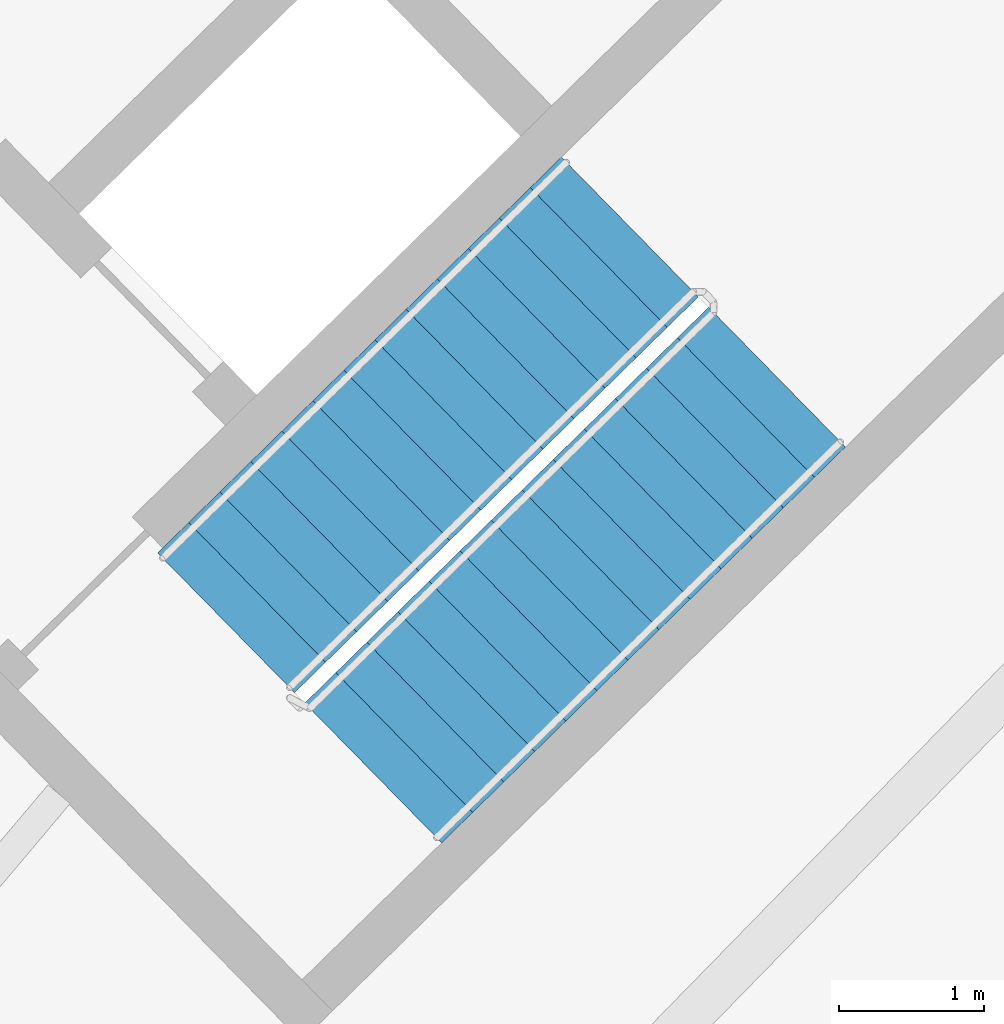
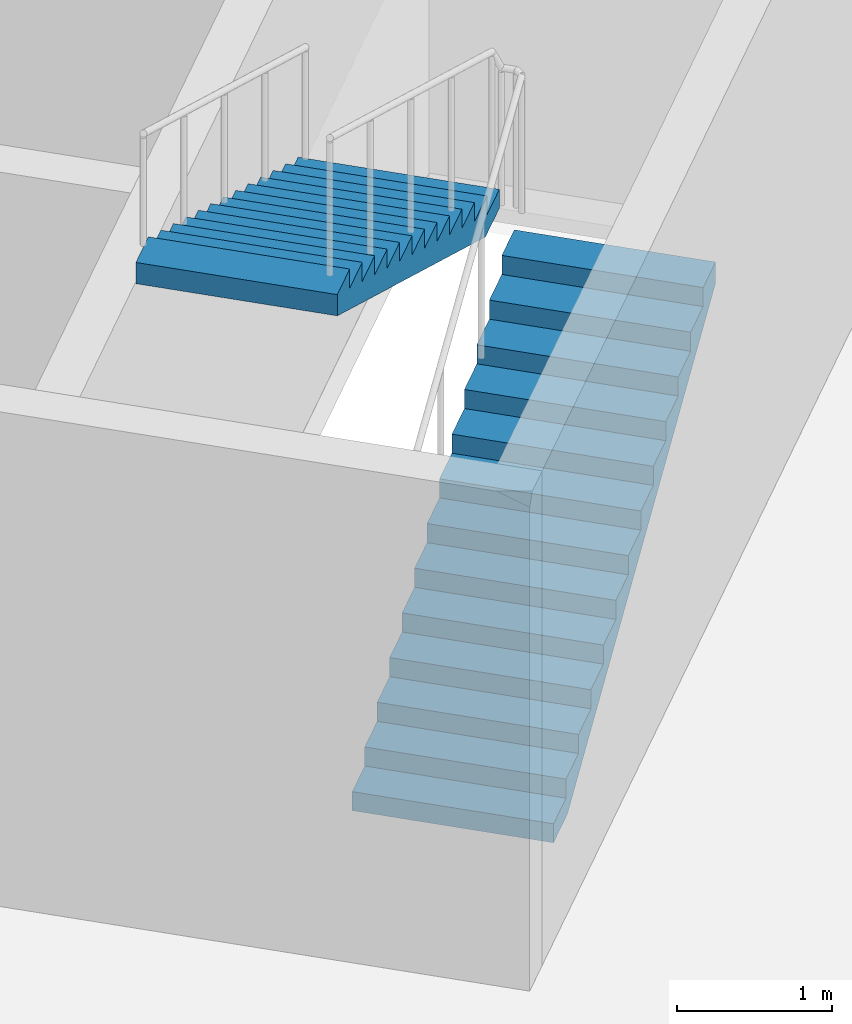
# One storey, part 9 of 11: 2 stair flights, 1 element without a shape of its own.
"""IFC4 building model written with IfcOpenShell, lengths in metres."""

import ifcopenshell
import ifcopenshell.guid

model = None  # the IFC model being written
_history = None  # IfcOwnerHistory: only IFC2X3 demands one
_inside = {}  # id of a spatial element -> (the spatial element, [elements in it])
_under = {}  # id of a project, library or spatial element -> (it, [spatial elements below it])
_declared = {}  # id of a project -> (the project, [libraries it declares])
_typed = {}  # id of a type object -> (the type object, [elements of that type])
_made_of = {}  # id of a material, layer set ... -> (it, [elements and type objects made of it])


def new_model(schema):
    """Start an empty IFC model of exactly this schema.

    Asked for "IFC4X3", IfcOpenShell would pick the latest addendum, in which some entities
    have other attributes; the version numbers below select the first issue.
    IFC2X3 requires an IfcOwnerHistory on every rooted entity: one is made here for all.
    """
    global model, _history
    if schema == "IFC4X3":
        model = ifcopenshell.file(schema_version=(4, 3, 0, 0))
    else:
        model = ifcopenshell.file(schema=schema)
    _inside.clear()
    _under.clear()
    _declared.clear()
    _typed.clear()
    _made_of.clear()
    _history = None
    if model.schema == "IFC2X3":
        org = make("IfcOrganization", Name="unknown")
        user = make(
            "IfcPersonAndOrganization",
            ThePerson=make("IfcPerson", FamilyName="unknown"),
            TheOrganization=org,
        )
        app = make(
            "IfcApplication",
            ApplicationDeveloper=org,
            Version="unknown",
            ApplicationFullName="unknown",
            ApplicationIdentifier="unknown",
        )
        _history = make(
            "IfcOwnerHistory",
            OwningUser=user,
            OwningApplication=app,
            ChangeAction="ADDED",
            CreationDate=0,
        )
    return model


def make(cls, **values):
    """One entity of the class cls with the attributes given. An attribute that is None is left unset."""
    return model.create_entity(
        cls, **{name: value for name, value in values.items() if value is not None}
    )


def rooted(cls, **values):
    """An entity with a GlobalId (a new one), such as an element, a storey or a relation."""
    return make(cls, GlobalId=ifcopenshell.guid.new(), OwnerHistory=_history, **values)


def si_unit(unit_type, name, prefix=None):
    """IfcSIUnit, for example si_unit("LENGTHUNIT", "METRE", prefix="MILLI")."""
    return make("IfcSIUnit", UnitType=unit_type, Prefix=prefix, Name=name)


def assignment(units):
    """IfcUnitAssignment: the units of a project."""
    return None if units is None else make("IfcUnitAssignment", Units=units)


def point(xyz):
    """IfcCartesianPoint."""
    return None if xyz is None else make("IfcCartesianPoint", Coordinates=xyz)


def direction(xyz):
    """IfcDirection."""
    return None if xyz is None else make("IfcDirection", DirectionRatios=xyz)


def frame(location, z_axis=None, x_axis=None):
    """IfcAxis2Placement3D, a coordinate frame: its origin and axes. An axis left out is left unset."""
    return make(
        "IfcAxis2Placement3D",
        Location=point(location),
        Axis=direction(z_axis),
        RefDirection=direction(x_axis),
    )


def origin():
    """The frame at (0, 0, 0) with its axes left unset."""
    return frame((0.0, 0.0, 0.0))


def place(relative_to, where):
    """IfcLocalPlacement: puts the frame where relative to a parent placement (None: the world)."""
    return make(
        "IfcLocalPlacement", PlacementRelTo=relative_to, RelativePlacement=where
    )


def context(
    kind, dimensions, precision=None, world=None, true_north=None, identifier=None
):
    """IfcGeometricRepresentationContext, for example the 3D "Model" context."""
    return make(
        "IfcGeometricRepresentationContext",
        ContextIdentifier=identifier,
        ContextType=kind,
        CoordinateSpaceDimension=dimensions,
        Precision=precision,
        WorldCoordinateSystem=world,
        TrueNorth=true_north,
    )


def subcontext(parent, identifier, kind, view, scale=None):
    """IfcGeometricRepresentationSubContext, for example "Body" below "Model"."""
    return make(
        "IfcGeometricRepresentationSubContext",
        ContextIdentifier=identifier,
        ContextType=kind,
        ParentContext=parent,
        TargetScale=scale,
        TargetView=view,
    )


def project(units=None, contexts=None):
    """IfcProject with its units and contexts."""
    return rooted(
        "IfcProject",
        Name="project",
        RepresentationContexts=contexts,
        UnitsInContext=assignment(units),
    )


def spatial(cls, under=None, at=None, **own):
    """A site, building, storey or space (cls), placed at a placement, below another one or the project."""
    s = rooted(cls, ObjectPlacement=at, **own)
    if under is not None:
        _under.setdefault(under.id(), (under, []))[1].append(s)
    return s


def polyline(points):
    """IfcPolyline through the points."""
    return make("IfcPolyline", Points=[point(p) for p in points])


def outline(outer, holes=None, kind="AREA"):
    """IfcArbitraryClosedProfileDef: a profile drawn as a closed curve; with holes, ...WithVoids."""
    if holes is None:
        return make("IfcArbitraryClosedProfileDef", ProfileType=kind, OuterCurve=outer)
    return make(
        "IfcArbitraryProfileDefWithVoids",
        ProfileType=kind,
        OuterCurve=outer,
        InnerCurves=holes,
    )


def extrude(swept, where, along, depth):
    """IfcExtrudedAreaSolid: the profile swept, set in the frame where, extruded along a direction by depth."""
    return make(
        "IfcExtrudedAreaSolid",
        SweptArea=swept,
        Position=where,
        ExtrudedDirection=direction(along),
        Depth=depth,
    )


def shape(context_of_items, identifier, shape_type, items):
    """IfcShapeRepresentation: the items that make up one representation, for example the "Body"."""
    return make(
        "IfcShapeRepresentation",
        ContextOfItems=context_of_items,
        RepresentationIdentifier=identifier,
        RepresentationType=shape_type,
        Items=items,
    )


def material(Name=None, Category=None):
    """IfcMaterial."""
    return make("IfcMaterial", Name=Name, Category=Category)


def made_of(thing, what):
    """Note that an element or type object is made of a material, layer set ...; save() writes the relation."""
    if what is not None:
        _made_of.setdefault(what.id(), (what, []))[1].append(thing)
    return thing


def type_object(cls, material=None, **own):
    """A type object (cls), such as IfcWallType, which elements share."""
    return made_of(rooted(cls, **own), material)


def element(
    cls,
    number,
    at=None,
    inside=None,
    cuts=None,
    type_object=None,
    material=None,
    context=None,
    identifier="Body",
    shape_type=None,
    held_by="IfcProductDefinitionShape",
    body=None,
    shapes=None,
    **own,
):
    """One element of the class cls, such as IfcWall. Its Tag is "e" and its number.

    at: its placement. inside: the storey or other place that contains it. cuts: it is an
    opening in that element (IfcRelVoidsElement). A single representation is given by context,
    identifier, shape_type and body (its items); several are given by shapes. held_by: the class
    of the entity that holds the representations. save() writes the other relations.
    """
    e = rooted(cls, Tag="e%d" % number, ObjectPlacement=at, **own)
    if body is not None:
        shapes = [shape(context, identifier, shape_type, body)]
    if shapes is not None:
        e.Representation = make(held_by, Representations=shapes)
    if inside is not None:
        _inside.setdefault(inside.id(), (inside, []))[1].append(e)
    if cuts is not None:
        rooted(
            "IfcRelVoidsElement", RelatingBuildingElement=cuts, RelatedOpeningElement=e
        )
    if type_object is not None:
        _typed.setdefault(type_object.id(), (type_object, []))[1].append(e)
    return made_of(e, material)


def aggregate(whole, parts):
    """IfcRelAggregates: a whole, such as a stair, and the parts it consists of."""
    return rooted("IfcRelAggregates", RelatingObject=whole, RelatedObjects=parts)


def save(model, path):
    """Write the relations noted so far, then the file.

    IfcRelAggregates (storeys below a building ...), IfcRelContainedInSpatialStructure (elements
    in a storey), IfcRelDefinesByType, IfcRelAssociatesMaterial and IfcRelDeclares: one each for
    every whole, place, type object, material and project.
    """
    for whole, parts in _under.values():
        aggregate(whole, parts)
    for where, things in _inside.values():
        rooted(
            "IfcRelContainedInSpatialStructure",
            RelatedElements=things,
            RelatingStructure=where,
        )
    for kind, things in _typed.values():
        rooted("IfcRelDefinesByType", RelatedObjects=things, RelatingType=kind)
    for what, things in _made_of.values():
        rooted("IfcRelAssociatesMaterial", RelatedObjects=things, RelatingMaterial=what)
    for by, libraries in _declared.values():
        rooted("IfcRelDeclares", RelatingContext=by, RelatedDefinitions=libraries)
    model.write(path)


model = new_model("IFC4")

# Units and contexts
model_context = context("Model", 3, precision=1e-05, world=origin(), true_north=direction((0.0, 1.0)))
body_context = subcontext(model_context, "Body", "Model", "MODEL_VIEW")
ifc_project = project(units=[si_unit("LENGTHUNIT", "METRE"), si_unit("AREAUNIT", "SQUARE_METRE"), si_unit("VOLUMEUNIT", "CUBIC_METRE"), si_unit("PLANEANGLEUNIT", "RADIAN"), si_unit("MASSUNIT", "GRAM", prefix="KILO")], contexts=[model_context])

# Site, building, storey
site_placement = place(None, origin())
site = spatial("IfcSite", under=ifc_project, at=site_placement, CompositionType="ELEMENT")
building_placement = place(site_placement, origin())
building = spatial("IfcBuilding", under=site, at=building_placement, Name="Tuul Gate Civic Tower", CompositionType="ELEMENT")
storey_placement = place(building_placement, frame((0.0, 0.0, 107.699951171875)))
storey = spatial("IfcBuildingStorey", under=building, at=storey_placement, Name="Level 24", CompositionType="ELEMENT", Elevation=107.699951171875)

# Stair, stair flights
ifc_material_1 = material(Name="Concrete C40/50", Category="concrete")
stair_type = type_object("IfcStairType", Name="Exit stair", PredefinedType="HALF_TURN_STAIR", material=ifc_material_1)
stair_placement = place(storey_placement, origin())
stair = element("IfcStair", 1, at=stair_placement, inside=storey, type_object=stair_type, Name="Level 24 ST-3", PredefinedType="HALF_TURN_STAIR")
ifc_material_2 = material(Name="Concrete C40/50", Category="concrete")
stair_flight_type = type_object("IfcStairFlightType", Name="Exit stair flight", PredefinedType="STRAIGHT", material=ifc_material_2)
stair_flight_1_placement = place(storey_placement, frame((48.61376953125, -16.581787109375, 0.0), z_axis=(0.0, 0.0, 1.0), x_axis=(0.714127290059, 0.700015866672, 0.0)))
stair_flight_1 = element("IfcStairFlight", 2, at=stair_flight_1_placement, type_object=stair_flight_type, Name="ST-3 flight 1", NumberOfRisers=14, NumberOfTreads=13, PredefinedType="STRAIGHT", RiserHeight=0.15, TreadLength=0.3, context=body_context, shape_type="SweptSolid", body=[
    extrude(outline(polyline([(0.0, 0.0), (0.0, 0.14990234375), (0.300048828125, 0.14990234375), (0.300048828125, 0.300048828125), (0.60009765625, 0.300048828125), (0.60009765625, 0.449951171875), (0.89990234375, 0.449951171875), (0.89990234375, 0.60009765625), (1.199951171875, 0.60009765625), (1.199951171875, 0.75), (1.5, 0.75), (1.5, 0.89990234375), (1.800048828125, 0.89990234375), (1.800048828125, 1.050048828125), (2.10009765625, 1.050048828125), (2.10009765625, 1.199951171875), (2.39990234375, 1.199951171875), (2.39990234375, 1.35009765625), (2.699951171875, 1.35009765625), (2.699951171875, 1.5), (3.0, 1.5), (3.0, 1.64990234375), (3.300048828125, 1.64990234375), (3.300048828125, 1.800048828125), (3.60009765625, 1.800048828125), (3.60009765625, 1.949951171875), (3.89990234375, 1.949951171875), (3.89990234375, 2.10009765625), (3.89990234375, 1.782470703125), (0.335205078125, 0.0), (0.0, 0.0)])), frame((0.0, 0.675048828125, 0.0), z_axis=(0.0, -1.0, 0.0), x_axis=(1.0, 0.0, 0.0)), (0.0, 0.0, 1.0), 1.35009765625),
])
stair_flight_2_placement = place(storey_placement, frame((50.3837890625, -12.816162109375, 2.10009765625), z_axis=(0.0, 0.0, 1.0), x_axis=(-0.714127290059, -0.700015866672, 0.0)))
stair_flight_2 = element("IfcStairFlight", 3, at=stair_flight_2_placement, type_object=stair_flight_type, Name="ST-3 flight 2", NumberOfRisers=14, NumberOfTreads=13, PredefinedType="STRAIGHT", RiserHeight=0.15, TreadLength=0.3, context=body_context, shape_type="SweptSolid", body=[
    extrude(outline(polyline([(0.0, 0.0), (0.0, 0.14990234375), (0.300048828125, 0.14990234375), (0.300048828125, 0.300048828125), (0.60009765625, 0.300048828125), (0.60009765625, 0.449951171875), (0.89990234375, 0.449951171875), (0.89990234375, 0.60009765625), (1.199951171875, 0.60009765625), (1.199951171875, 0.75), (1.5, 0.75), (1.5, 0.89990234375), (1.800048828125, 0.89990234375), (1.800048828125, 1.050048828125), (2.10009765625, 1.050048828125), (2.10009765625, 1.199951171875), (2.39990234375, 1.199951171875), (2.39990234375, 1.35009765625), (2.699951171875, 1.35009765625), (2.699951171875, 1.5), (3.0, 1.5), (3.0, 1.64990234375), (3.300048828125, 1.64990234375), (3.300048828125, 1.800048828125), (3.60009765625, 1.800048828125), (3.60009765625, 1.949951171875), (3.89990234375, 1.949951171875), (3.89990234375, 2.10009765625), (3.89990234375, 1.782470703125), (0.335205078125, 0.0), (0.0, 0.0)])), frame((0.0, 0.675048828125, 0.0), z_axis=(0.0, -1.0, 0.0), x_axis=(1.0, 0.0, 0.0)), (0.0, 0.0, 1.0), 1.35009765625),
])
aggregate(stair, [stair_flight_1, stair_flight_2])

save(model, "model.ifc")
